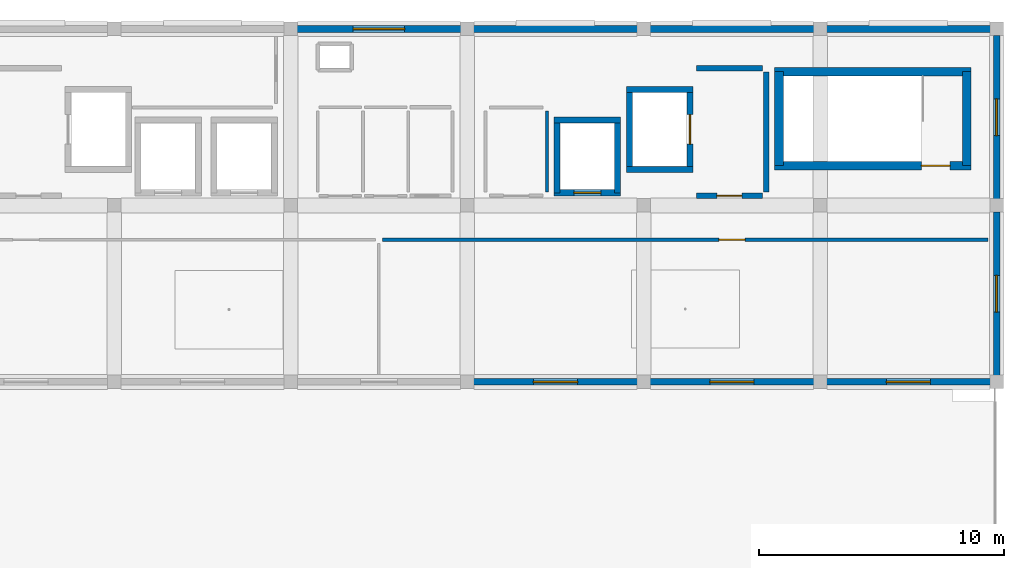
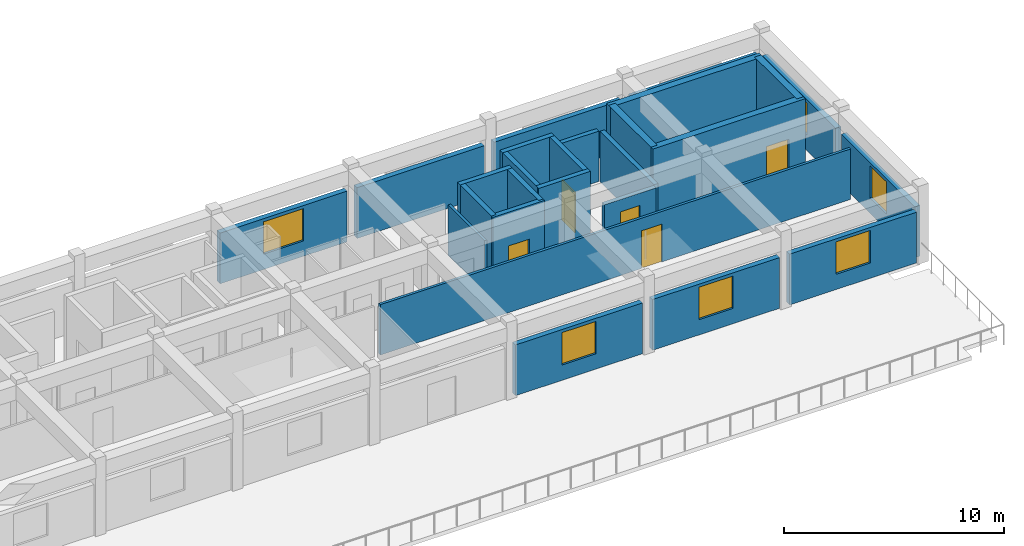
# One storey, part 3 of 6: 26 walls, 6 windows, 5 doors, 11 openings.
"""IFC4 building model written with IfcOpenShell, lengths in metres."""

from ifc_helpers import new_model, si_unit, direction, frame, frame_2d, origin, place, context, subcontext, project, spatial, rectangle, extrude, material, layer, layer_set, type_object, element, fill, save


model = new_model("IFC4")

# Units and contexts
model_context = context("Model", 3, precision=1e-05, world=origin(), true_north=direction((0.0, 1.0)))
body_context = subcontext(model_context, "Body", "Model", "MODEL_VIEW")
ifc_project = project(units=[si_unit("LENGTHUNIT", "METRE"), si_unit("AREAUNIT", "SQUARE_METRE"), si_unit("VOLUMEUNIT", "CUBIC_METRE"), si_unit("PLANEANGLEUNIT", "RADIAN"), si_unit("MASSUNIT", "GRAM", prefix="KILO")], contexts=[model_context])

# Site, building, storey
site_placement = place(None, origin())
site = spatial("IfcSite", under=ifc_project, at=site_placement, CompositionType="ELEMENT")
building_placement = place(site_placement, origin())
building = spatial("IfcBuilding", under=site, at=building_placement, Name="Kazehaya Institute of Natural Sciences", CompositionType="ELEMENT")
storey_placement = place(building_placement, frame((0.0, 0.0, 41.93994140625)))
storey = spatial("IfcBuildingStorey", under=building, at=storey_placement, Name="L09", CompositionType="ELEMENT", Elevation=41.93994140625)

# Wall, opening, door
ifc_material_1 = material(Name="Concrete Fc42", Category="concrete")
ifc_layer_1 = layer(ifc_material_1, 0.35009765625, Name="Concrete Fc42", Category="concrete")
ifc_layer_set_1 = layer_set([ifc_layer_1], Name="Concrete Fc42")
wall_type_1 = type_object("IfcWallType", Name="WL-CORE-350", PredefinedType="SHEAR", material=ifc_layer_set_1)
wall_1_placement = place(storey_placement, frame((111.155029296875, 22.820068359375, 0.0), z_axis=(0.0, 0.0, 1.0), x_axis=(-1.0, 0.0, 0.0)))
wall_1 = element("IfcWall", 1, at=wall_1_placement, inside=storey, type_object=wall_type_1, Name="L09 ST-2 core wall S", PredefinedType="SHEAR", context=body_context, shape_type="SweptSolid", body=[
    extrude(rectangle(XDim=8.010009765625, YDim=0.35009765625, at=frame_2d((4.0048828125, 0.0))), origin(), (0.0, 0.0, 1.0), 4.070068359375),
])
opening_1_placement = place(wall_1_placement, frame((0.85009765625, 0.0, 0.0)))
opening_1 = element("IfcOpeningElement", 2, at=opening_1_placement, cuts=wall_1, Name="Opening D-ST-022", PredefinedType="OPENING", context=body_context, shape_type="SweptSolid", body=[
    extrude(rectangle(XDim=1.179931640625, YDim=2.1201171875, at=frame_2d((0.58984375, 1.06005859375))), frame((0.0, 0.18505859375, 0.0), z_axis=(0.0, -1.0, 0.0), x_axis=(1.0, 0.0, 0.0)), (0.0, 0.0, 1.0), 0.3701171875),
])
ifc_material_2 = material(Name="Fire-rated steel acoustic door", Category="steel")
door_type_1 = type_object("IfcDoorType", Name="DT-FD-23", OperationType="NOTDEFINED", PredefinedType="DOOR", material=ifc_material_2)
door_1_placement = place(opening_1_placement, origin())
door_1 = element("IfcDoor", 3, at=door_1_placement, inside=storey, type_object=door_type_1, Name="L09 ST-2 stair enclosure door D-ST-022", OperationType="SINGLE_SWING_RIGHT", OverallHeight=2.1201171875, OverallWidth=1.179931640625, PredefinedType="DOOR", context=body_context, shape_type="SweptSolid", body=[
    extrude(rectangle(XDim=1.179931640625, YDim=2.1201171875, at=frame_2d((0.58984375, 1.06005859375))), frame((0.0, 0.02490234375, 0.0), z_axis=(0.0, -1.0, 0.0), x_axis=(1.0, 0.0, 0.0)), (0.0, 0.0, 1.0), 0.050048828125),
])
fill(opening_1, door_1)

# Walls
wall_2_placement = place(storey_placement, frame((103.14501953125, 26.659912109375, 0.0), z_axis=(0.0, 0.0, 1.0), x_axis=(1.0, 0.0, 0.0)))
element("IfcWall", 4, at=wall_2_placement, inside=storey, type_object=wall_type_1, Name="L09 ST-2 core wall N", PredefinedType="SHEAR", context=body_context, shape_type="SweptSolid", body=[
    extrude(rectangle(XDim=8.010009765625, YDim=0.35009765625, at=frame_2d((4.0048828125, 0.0))), origin(), (0.0, 0.0, 1.0), 4.070068359375),
])
for number, where, z_axis, x_axis, name in (
    (5, (103.320068359375, 22.820068359375, 0.0), (0.0, 0.0, 1.0), (0.0, 1.0, 0.0), "L09 ST-2 core wall W"),
    (6, (110.97998046875, 26.659912109375, 0.0), (0.0, 0.0, 1.0), (0.0, -1.0, 0.0), "L09 ST-2 core wall E"),
):
    element("IfcWall", number, at=place(storey_placement, frame(where, z_axis=z_axis, x_axis=x_axis)), inside=storey, type_object=wall_type_1, Name=name, PredefinedType="SHEAR", context=body_context, shape_type="SweptSolid", body=[
        extrude(rectangle(XDim=3.83984375, YDim=0.35009765625, at=frame_2d((1.919921875, 0.0))), origin(), (0.0, 0.0, 1.0), 4.070068359375),
    ])

# Wall, opening, window
ifc_material_3 = material(Name="Precast concrete Fc36", Category="concrete")
ifc_layer_2 = layer(ifc_material_3, 0.27001953125, Name="Precast concrete Fc36", Category="concrete")
ifc_layer_set_2 = layer_set([ifc_layer_2], Name="Precast concrete Fc36")
wall_type_2 = type_object("IfcWallType", Name="WL-EXT-270", PredefinedType="SOLIDWALL", material=ifc_layer_set_2)
wall_3_placement = place(storey_placement, frame((111.93994140625, 14.0, 0.0), z_axis=(0.0, 0.0, 1.0), x_axis=(-1.0, 0.0, 0.0)))
wall_3 = element("IfcWall", 7, at=wall_3_placement, inside=storey, type_object=wall_type_2, Name="L09 exterior wall EW-L09-0404", PredefinedType="SOLIDWALL", context=body_context, shape_type="SweptSolid", body=[
    extrude(rectangle(XDim=6.679931640625, YDim=0.27001953125, at=frame_2d((3.33984375, 0.0))), origin(), (0.0, 0.0, 1.0), 2.820068359375),
])
opening_2_placement = place(wall_3_placement, frame((2.43994140625, 0.0, 0.85009765625)))
opening_2 = element("IfcOpeningElement", 8, at=opening_2_placement, cuts=wall_3, Name="Opening W11", PredefinedType="OPENING", context=body_context, shape_type="SweptSolid", body=[
    extrude(rectangle(XDim=1.800048828125, YDim=1.800048828125, at=frame_2d((0.89990234375, 0.89990234375))), frame((0.0, 0.14501953125, 0.0), z_axis=(0.0, -1.0, 0.0), x_axis=(1.0, 0.0, 0.0)), (0.0, 0.0, 1.0), 0.2900390625),
])
ifc_material_4 = material(Name="Low-E double-glazed aluminium window", Category="aluminium")
window_type_1 = type_object("IfcWindowType", Name="WN-11", PartitioningType="DOUBLE_PANEL_VERTICAL", PredefinedType="WINDOW", material=ifc_material_4)
window_1_placement = place(opening_2_placement, origin())
window_1 = element("IfcWindow", 9, at=window_1_placement, inside=storey, type_object=window_type_1, Name="L09 facade window 0256", OverallHeight=1.800048828125, OverallWidth=1.800048828125, PartitioningType="DOUBLE_PANEL_VERTICAL", PredefinedType="WINDOW", context=body_context, shape_type="SweptSolid", body=[
    extrude(rectangle(XDim=1.800048828125, YDim=1.800048828125, at=frame_2d((0.89990234375, 0.89990234375))), frame((0.0, 0.030029296875, 0.0), z_axis=(0.0, -1.0, 0.0), x_axis=(1.0, 0.0, 0.0)), (0.0, 0.0, 1.0), 0.06005859375),
])
fill(opening_2, window_1)

wall_4_placement = place(storey_placement, frame((104.739990234375, 14.0, 0.0), z_axis=(0.0, 0.0, 1.0), x_axis=(-1.0, 0.0, 0.0)))
wall_4 = element("IfcWall", 10, at=wall_4_placement, inside=storey, type_object=wall_type_2, Name="L09 exterior wall EW-L09-0405", PredefinedType="SOLIDWALL", context=body_context, shape_type="SweptSolid", body=[
    extrude(rectangle(XDim=6.679931640625, YDim=0.27001953125, at=frame_2d((3.33984375, 0.0))), origin(), (0.0, 0.0, 1.0), 2.820068359375),
])
opening_3_placement = place(wall_4_placement, frame((2.43994140625, 0.0, 0.85009765625)))
opening_3 = element("IfcOpeningElement", 11, at=opening_3_placement, cuts=wall_4, Name="Opening W11", PredefinedType="OPENING", context=body_context, shape_type="SweptSolid", body=[
    extrude(rectangle(XDim=1.800048828125, YDim=1.800048828125, at=frame_2d((0.89990234375, 0.89990234375))), frame((0.0, 0.14501953125, 0.0), z_axis=(0.0, -1.0, 0.0), x_axis=(1.0, 0.0, 0.0)), (0.0, 0.0, 1.0), 0.2900390625),
])
window_2_placement = place(opening_3_placement, origin())
window_2 = element("IfcWindow", 12, at=window_2_placement, inside=storey, type_object=window_type_1, Name="L09 facade window 0257", OverallHeight=1.800048828125, OverallWidth=1.800048828125, PartitioningType="DOUBLE_PANEL_VERTICAL", PredefinedType="WINDOW", context=body_context, shape_type="SweptSolid", body=[
    extrude(rectangle(XDim=1.800048828125, YDim=1.800048828125, at=frame_2d((0.89990234375, 0.89990234375))), frame((0.0, 0.030029296875, 0.0), z_axis=(0.0, -1.0, 0.0), x_axis=(1.0, 0.0, 0.0)), (0.0, 0.0, 1.0), 0.06005859375),
])
fill(opening_3, window_2)

wall_5_placement = place(storey_placement, frame((97.5400390625, 14.0, 0.0), z_axis=(0.0, 0.0, 1.0), x_axis=(-1.0, 0.0, 0.0)))
wall_5 = element("IfcWall", 13, at=wall_5_placement, inside=storey, type_object=wall_type_2, Name="L09 exterior wall EW-L09-0406", PredefinedType="SOLIDWALL", context=body_context, shape_type="SweptSolid", body=[
    extrude(rectangle(XDim=6.679931640625, YDim=0.27001953125, at=frame_2d((3.33984375, 0.0))), origin(), (0.0, 0.0, 1.0), 2.820068359375),
])
opening_4_placement = place(wall_5_placement, frame((2.43994140625, 0.0, 0.85009765625)))
opening_4 = element("IfcOpeningElement", 14, at=opening_4_placement, cuts=wall_5, Name="Opening W11", PredefinedType="OPENING", context=body_context, shape_type="SweptSolid", body=[
    extrude(rectangle(XDim=1.800048828125, YDim=1.800048828125, at=frame_2d((0.89990234375, 0.89990234375))), frame((0.0, 0.14501953125, 0.0), z_axis=(0.0, -1.0, 0.0), x_axis=(1.0, 0.0, 0.0)), (0.0, 0.0, 1.0), 0.2900390625),
])
window_3_placement = place(opening_4_placement, origin())
window_3 = element("IfcWindow", 15, at=window_3_placement, inside=storey, type_object=window_type_1, Name="L09 facade window 0258", OverallHeight=1.800048828125, OverallWidth=1.800048828125, PartitioningType="DOUBLE_PANEL_VERTICAL", PredefinedType="WINDOW", context=body_context, shape_type="SweptSolid", body=[
    extrude(rectangle(XDim=1.800048828125, YDim=1.800048828125, at=frame_2d((0.89990234375, 0.89990234375))), frame((0.0, 0.030029296875, 0.0), z_axis=(0.0, -1.0, 0.0), x_axis=(1.0, 0.0, 0.0)), (0.0, 0.0, 1.0), 0.06005859375),
])
fill(opening_4, window_3)

wall_6_placement = place(storey_placement, frame((83.659912109375, 28.39990234375, 0.0), z_axis=(0.0, 0.0, 1.0), x_axis=(1.0, 0.0, 0.0)))
wall_6 = element("IfcWall", 16, at=wall_6_placement, inside=storey, type_object=wall_type_2, Name="L09 exterior wall EW-L09-0414", PredefinedType="SOLIDWALL", context=body_context, shape_type="SweptSolid", body=[
    extrude(rectangle(XDim=6.68017578125, YDim=0.27001953125, at=frame_2d((3.340087890625, 0.0))), origin(), (0.0, 0.0, 1.0), 2.820068359375),
])
opening_5_placement = place(wall_6_placement, frame((2.2900390625, 0.0, 0.85009765625)))
opening_5 = element("IfcOpeningElement", 17, at=opening_5_placement, cuts=wall_6, Name="Opening W12", PredefinedType="OPENING", context=body_context, shape_type="SweptSolid", body=[
    extrude(rectangle(XDim=2.10009765625, YDim=1.800048828125, at=frame_2d((1.050048828125, 0.89990234375))), frame((0.0, 0.14501953125, 0.0), z_axis=(0.0, -1.0, 0.0), x_axis=(1.0, 0.0, 0.0)), (0.0, 0.0, 1.0), 0.2900390625),
])
window_type_2 = type_object("IfcWindowType", Name="WN-12", PartitioningType="DOUBLE_PANEL_VERTICAL", PredefinedType="WINDOW", material=ifc_material_4)
window_4_placement = place(opening_5_placement, origin())
window_4 = element("IfcWindow", 18, at=window_4_placement, inside=storey, type_object=window_type_2, Name="L09 facade window 0262", OverallHeight=1.800048828125, OverallWidth=2.10009765625, PartitioningType="DOUBLE_PANEL_VERTICAL", PredefinedType="WINDOW", context=body_context, shape_type="SweptSolid", body=[
    extrude(rectangle(XDim=2.10009765625, YDim=1.800048828125, at=frame_2d((1.050048828125, 0.89990234375))), frame((0.0, 0.030029296875, 0.0), z_axis=(0.0, -1.0, 0.0), x_axis=(1.0, 0.0, 0.0)), (0.0, 0.0, 1.0), 0.06005859375),
])
fill(opening_5, window_4)

# Walls
for number, where, z_axis, x_axis, name in (
    (19, (90.860107421875, 28.39990234375, 0.0), (0.0, 0.0, 1.0), (1.0, 0.0, 0.0), "L09 exterior wall EW-L09-0415"),
    (20, (98.06005859375, 28.39990234375, 0.0), (0.0, 0.0, 1.0), (1.0, 0.0, 0.0), "L09 exterior wall EW-L09-0416"),
    (21, (105.260009765625, 28.39990234375, 0.0), (0.0, 0.0, 1.0), (1.0, 0.0, 0.0), "L09 exterior wall EW-L09-0417"),
):
    element("IfcWall", number, at=place(storey_placement, frame(where, z_axis=z_axis, x_axis=x_axis)), inside=storey, type_object=wall_type_2, Name=name, PredefinedType="SOLIDWALL", context=body_context, shape_type="SweptSolid", body=[
        extrude(rectangle(XDim=6.679931640625, YDim=0.27001953125, at=frame_2d((3.33984375, 0.0))), origin(), (0.0, 0.0, 1.0), 2.820068359375),
    ])

# Wall, opening, window
wall_7_placement = place(storey_placement, frame((112.199951171875, 20.93994140625, 0.0), z_axis=(0.0, 0.0, 1.0), x_axis=(0.0, -1.0, 0.0)))
wall_7 = element("IfcWall", 22, at=wall_7_placement, inside=storey, type_object=wall_type_2, Name="L09 exterior wall EW-L09-0419", PredefinedType="SOLIDWALL", context=body_context, shape_type="SweptSolid", body=[
    extrude(rectangle(XDim=6.679931640625, YDim=0.27001953125, at=frame_2d((3.33984375, 0.0))), origin(), (0.0, 0.0, 1.0), 2.820068359375),
])
opening_6_placement = place(wall_7_placement, frame((2.590087890625, 0.0, 0.85009765625)))
opening_6 = element("IfcOpeningElement", 23, at=opening_6_placement, cuts=wall_7, Name="Opening W14", PredefinedType="OPENING", context=body_context, shape_type="SweptSolid", body=[
    extrude(rectangle(XDim=1.5, YDim=1.800048828125, at=frame_2d((0.75, 0.89990234375))), frame((0.0, 0.14501953125, 0.0), z_axis=(0.0, -1.0, 0.0), x_axis=(1.0, 0.0, 0.0)), (0.0, 0.0, 1.0), 0.2900390625),
])
window_type_3 = type_object("IfcWindowType", Name="WN-14", PartitioningType="SINGLE_PANEL", PredefinedType="WINDOW", material=ifc_material_4)
window_5_placement = place(opening_6_placement, origin())
window_5 = element("IfcWindow", 24, at=window_5_placement, inside=storey, type_object=window_type_3, Name="L09 facade window 0264", OverallHeight=1.800048828125, OverallWidth=1.5, PartitioningType="SINGLE_PANEL", PredefinedType="WINDOW", context=body_context, shape_type="SweptSolid", body=[
    extrude(rectangle(XDim=1.5, YDim=1.800048828125, at=frame_2d((0.75, 0.89990234375))), frame((0.0, 0.030029296875, 0.0), z_axis=(0.0, -1.0, 0.0), x_axis=(1.0, 0.0, 0.0)), (0.0, 0.0, 1.0), 0.06005859375),
])
fill(opening_6, window_5)

wall_8_placement = place(storey_placement, frame((112.199951171875, 28.139892578125, 0.0), z_axis=(0.0, 0.0, 1.0), x_axis=(0.0, -1.0, 0.0)))
wall_8 = element("IfcWall", 25, at=wall_8_placement, inside=storey, type_object=wall_type_2, Name="L09 exterior wall EW-L09-0421", PredefinedType="SOLIDWALL", context=body_context, shape_type="SweptSolid", body=[
    extrude(rectangle(XDim=6.679931640625, YDim=0.27001953125, at=frame_2d((3.33984375, 0.0))), origin(), (0.0, 0.0, 1.0), 2.820068359375),
])
opening_7_placement = place(wall_8_placement, frame((2.590087890625, 0.0, 0.85009765625)))
opening_7 = element("IfcOpeningElement", 26, at=opening_7_placement, cuts=wall_8, Name="Opening W14", PredefinedType="OPENING", context=body_context, shape_type="SweptSolid", body=[
    extrude(rectangle(XDim=1.5, YDim=1.800048828125, at=frame_2d((0.75, 0.89990234375))), frame((0.0, 0.14501953125, 0.0), z_axis=(0.0, -1.0, 0.0), x_axis=(1.0, 0.0, 0.0)), (0.0, 0.0, 1.0), 0.2900390625),
])
window_6_placement = place(opening_7_placement, origin())
window_6 = element("IfcWindow", 27, at=window_6_placement, inside=storey, type_object=window_type_3, Name="L09 facade window 0266", OverallHeight=1.800048828125, OverallWidth=1.5, PartitioningType="SINGLE_PANEL", PredefinedType="WINDOW", context=body_context, shape_type="SweptSolid", body=[
    extrude(rectangle(XDim=1.5, YDim=1.800048828125, at=frame_2d((0.75, 0.89990234375))), frame((0.0, 0.030029296875, 0.0), z_axis=(0.0, -1.0, 0.0), x_axis=(1.0, 0.0, 0.0)), (0.0, 0.0, 1.0), 0.06005859375),
])
fill(opening_7, window_6)

# Wall, opening, door
ifc_material_5 = material(Name="Concrete Fc36", Category="concrete")
ifc_layer_3 = layer(ifc_material_5, 0.22998046875, Name="Concrete Fc36", Category="concrete")
ifc_layer_set_3 = layer_set([ifc_layer_3], Name="Concrete Fc36")
wall_type_3 = type_object("IfcWallType", Name="WL-FFL-230", PredefinedType="PARTITIONING", material=ifc_layer_set_3)
wall_9_placement = place(storey_placement, frame((102.64990234375, 21.60009765625, 0.0), z_axis=(0.0, 0.0, 1.0), x_axis=(-1.0, 0.0, 0.0)))
wall_9 = element("IfcWall", 28, at=wall_9_placement, inside=storey, type_object=wall_type_3, Name="L09 East Firefighting Lift Lobby partition IW-L09-0383", PredefinedType="PARTITIONING", context=body_context, shape_type="SweptSolid", body=[
    extrude(rectangle(XDim=2.699951171875, YDim=0.22998046875, at=frame_2d((1.35009765625, 0.0))), origin(), (0.0, 0.0, 1.0), 2.800048828125),
])
opening_8_placement = place(wall_9_placement, frame((0.840087890625, 0.0, 0.0)))
opening_8 = element("IfcOpeningElement", 29, at=opening_8_placement, cuts=wall_9, Name="Opening D-L09-0206", PredefinedType="OPENING", context=body_context, shape_type="SweptSolid", body=[
    extrude(rectangle(XDim=1.02001953125, YDim=2.1201171875, at=frame_2d((0.510009765625, 1.06005859375))), frame((0.0, 0.125, 0.0), z_axis=(0.0, -1.0, 0.0), x_axis=(1.0, 0.0, 0.0)), (0.0, 0.0, 1.0), 0.25),
])
door_type_2 = type_object("IfcDoorType", Name="DT-FD-11", OperationType="NOTDEFINED", PredefinedType="DOOR", material=ifc_material_2)
door_2_placement = place(opening_8_placement, origin())
door_2 = element("IfcDoor", 30, at=door_2_placement, inside=storey, type_object=door_type_2, Name="L09 East Firefighting Lift Lobby door D-L09-0206", OperationType="SINGLE_SWING_LEFT", OverallHeight=2.1201171875, OverallWidth=1.02001953125, PredefinedType="DOOR", context=body_context, shape_type="SweptSolid", body=[
    extrude(rectangle(XDim=1.02001953125, YDim=2.1201171875, at=frame_2d((0.510009765625, 1.06005859375))), frame((0.0, 0.02490234375, 0.0), z_axis=(0.0, -1.0, 0.0), x_axis=(1.0, 0.0, 0.0)), (0.0, 0.0, 1.0), 0.050048828125),
])
fill(opening_8, door_2)

# Walls
wall_10_placement = place(storey_placement, frame((99.949951171875, 26.800048828125, 0.0), z_axis=(0.0, 0.0, 1.0), x_axis=(1.0, 0.0, 0.0)))
element("IfcWall", 31, at=wall_10_placement, inside=storey, type_object=wall_type_3, Name="L09 East Firefighting Lift Lobby partition IW-L09-0384", PredefinedType="PARTITIONING", context=body_context, shape_type="SweptSolid", body=[
    extrude(rectangle(XDim=2.699951171875, YDim=0.22998046875, at=frame_2d((1.35009765625, 0.0))), origin(), (0.0, 0.0, 1.0), 2.800048828125),
])
wall_11_placement = place(storey_placement, frame((102.800048828125, 26.64990234375, 0.0), z_axis=(0.0, 0.0, 1.0), x_axis=(0.0, -1.0, 0.0)))
element("IfcWall", 32, at=wall_11_placement, inside=storey, type_object=wall_type_3, Name="L09 East Firefighting Lift Lobby partition IW-L09-0385", PredefinedType="PARTITIONING", context=body_context, shape_type="SweptSolid", body=[
    extrude(rectangle(XDim=4.89990234375, YDim=0.22998046875, at=frame_2d((2.449951171875, 0.0))), origin(), (0.0, 0.0, 1.0), 2.800048828125),
])
ifc_material_6 = material(Name="Moisture-resistant WC partition")
ifc_layer_4 = layer(ifc_material_6, 0.1298828125, Name="Moisture-resistant WC partition")
ifc_layer_set_4 = layer_set([ifc_layer_4], Name="Moisture-resistant WC partition")
wall_type_4 = type_object("IfcWallType", Name="WL-PART-130", PredefinedType="PARTITIONING", material=ifc_layer_set_4)
wall_12_placement = place(storey_placement, frame((93.85009765625, 25.050048828125, 0.0), z_axis=(0.0, 0.0, 1.0), x_axis=(0.0, -1.0, 0.0)))
element("IfcWall", 33, at=wall_12_placement, inside=storey, type_object=wall_type_4, Name="L09 Ostomate WC partition IW-L09-0399", PredefinedType="PARTITIONING", context=body_context, shape_type="SweptSolid", body=[
    extrude(rectangle(XDim=3.300048828125, YDim=0.1298828125, at=frame_2d((1.64990234375, 0.0))), origin(), (0.0, 0.0, 1.0), 2.800048828125),
])

# Wall, opening, door
ifc_material_7 = material(Name="Gypsum partition", Category="gypsum")
ifc_layer_5 = layer(ifc_material_7, 0.139892578125, Name="Gypsum partition", Category="gypsum")
ifc_layer_set_5 = layer_set([ifc_layer_5], Name="Gypsum partition")
wall_type_5 = type_object("IfcWallType", Name="WL-PART-140", PredefinedType="PARTITIONING", material=ifc_layer_set_5)
wall_13_placement = place(storey_placement, frame((87.14990234375, 19.800048828125, 0.0), z_axis=(0.0, 0.0, 1.0), x_axis=(1.0, 0.0, 0.0)))
wall_13 = element("IfcWall", 34, at=wall_13_placement, inside=storey, type_object=wall_type_5, Name="L09 Senior Fellow Write-up Office partition IW-L09-0402", PredefinedType="PARTITIONING", context=body_context, shape_type="SweptSolid", body=[
    extrude(rectangle(XDim=24.7001953125, YDim=0.139892578125, at=frame_2d((12.35009765625, 0.0))), origin(), (0.0, 0.0, 1.0), 2.800048828125),
])
opening_9_placement = place(wall_13_placement, frame((13.715087890625, 0.0, 0.0)))
opening_9 = element("IfcOpeningElement", 35, at=opening_9_placement, cuts=wall_13, Name="Opening D-L09-0212", PredefinedType="OPENING", context=body_context, shape_type="SweptSolid", body=[
    extrude(rectangle(XDim=1.070068359375, YDim=2.10009765625, at=frame_2d((0.53515625, 1.050048828125))), frame((0.0, 0.079833984375, 0.0), z_axis=(0.0, -1.0, 0.0), x_axis=(1.0, 0.0, 0.0)), (0.0, 0.0, 1.0), 0.159912109375),
])
ifc_material_8 = material(Name="Flush timber and aluminium laboratory door", Category="wood")
door_type_3 = type_object("IfcDoorType", Name="DT-INT-22", OperationType="NOTDEFINED", PredefinedType="DOOR", material=ifc_material_8)
door_3_placement = place(opening_9_placement, origin())
door_3 = element("IfcDoor", 36, at=door_3_placement, inside=storey, type_object=door_type_3, Name="L09 Senior Fellow Write-up Office door D-L09-0212", OperationType="SINGLE_SWING_LEFT", OverallHeight=2.10009765625, OverallWidth=1.070068359375, PredefinedType="DOOR", context=body_context, shape_type="SweptSolid", body=[
    extrude(rectangle(XDim=1.070068359375, YDim=2.10009765625, at=frame_2d((0.53515625, 1.050048828125))), frame((0.0, 0.02490234375, 0.0), z_axis=(0.0, -1.0, 0.0), x_axis=(1.0, 0.0, 0.0)), (0.0, 0.0, 1.0), 0.050048828125),
])
fill(opening_9, door_3)

# Walls
ifc_layer_6 = layer(ifc_material_1, 0.25, Name="Concrete Fc42", Category="concrete")
ifc_layer_set_6 = layer_set([ifc_layer_6], Name="Concrete Fc42")
wall_type_6 = type_object("IfcWallType", Name="WL-SHAFT-250", PredefinedType="SHEAR", material=ifc_layer_set_6)
for number, where, z_axis, x_axis, name in (
    (37, (99.81005859375, 22.6650390625, 0.0), (0.0, 0.0, 1.0), (-1.0, 0.0, 0.0), "L09 EL08 lift shaft wall south"),
    (38, (97.090087890625, 25.93505859375, 0.0), (0.0, 0.0, 1.0), (1.0, 0.0, 0.0), "L09 EL08 lift shaft wall north"),
):
    element("IfcWall", number, at=place(storey_placement, frame(where, z_axis=z_axis, x_axis=x_axis)), inside=storey, type_object=wall_type_6, Name=name, PredefinedType="SHEAR", context=body_context, shape_type="SweptSolid", body=[
        extrude(rectangle(XDim=2.719970703125, YDim=0.25, at=frame_2d((1.35986328125, 0.0))), origin(), (0.0, 0.0, 1.0), 4.070068359375),
    ])
wall_14_placement = place(storey_placement, frame((97.215087890625, 22.6650390625, 0.0), z_axis=(0.0, 0.0, 1.0), x_axis=(0.0, 1.0, 0.0)))
element("IfcWall", 39, at=wall_14_placement, inside=storey, type_object=wall_type_6, Name="L09 EL08 lift shaft wall west", PredefinedType="SHEAR", context=body_context, shape_type="SweptSolid", body=[
    extrude(rectangle(XDim=3.27001953125, YDim=0.25, at=frame_2d((1.635009765625, 0.0))), origin(), (0.0, 0.0, 1.0), 4.070068359375),
])

# Wall, opening, door
wall_15_placement = place(storey_placement, frame((99.68505859375, 25.93505859375, 0.0), z_axis=(0.0, 0.0, 1.0), x_axis=(0.0, -1.0, 0.0)))
wall_15 = element("IfcWall", 40, at=wall_15_placement, inside=storey, type_object=wall_type_6, Name="L09 EL08 lift shaft wall east", PredefinedType="SHEAR", context=body_context, shape_type="SweptSolid", body=[
    extrude(rectangle(XDim=3.27001953125, YDim=0.25, at=frame_2d((1.635009765625, 0.0))), origin(), (0.0, 0.0, 1.0), 4.070068359375),
])
opening_10_placement = place(wall_15_placement, frame((1.034912109375, 0.0, 0.0)))
opening_10 = element("IfcOpeningElement", 41, at=opening_10_placement, cuts=wall_15, Name="Opening LD-22", PredefinedType="OPENING", context=body_context, shape_type="SweptSolid", body=[
    extrude(rectangle(XDim=1.199951171875, YDim=2.25, at=frame_2d((0.60009765625, 1.125))), frame((0.0, 0.135009765625, 0.0), z_axis=(0.0, -1.0, 0.0), x_axis=(1.0, 0.0, 0.0)), (0.0, 0.0, 1.0), 0.27001953125),
])
ifc_material_9 = material(Name="Stainless-steel emergency lift landing door", Category="steel")
door_type_4 = type_object("IfcDoorType", Name="DT-LD-1200x2250", OperationType="SLIDING_TO_LEFT", PredefinedType="DOOR", material=ifc_material_9)
door_4_placement = place(opening_10_placement, origin())
door_4 = element("IfcDoor", 42, at=door_4_placement, inside=storey, type_object=door_type_4, Name="L09 EL08 sliding landing door LD-22", OperationType="SLIDING_TO_LEFT", OverallHeight=2.25, OverallWidth=1.199951171875, PredefinedType="DOOR", context=body_context, shape_type="SweptSolid", body=[
    extrude(rectangle(XDim=1.199951171875, YDim=2.25, at=frame_2d((0.60009765625, 1.125))), frame((0.0, 0.02490234375, 0.0), z_axis=(0.0, -1.0, 0.0), x_axis=(1.0, 0.0, 0.0)), (0.0, 0.0, 1.0), 0.050048828125),
])
fill(opening_10, door_4)

wall_16_placement = place(storey_placement, frame((96.860107421875, 21.715087890625, 0.0), z_axis=(0.0, 0.0, 1.0), x_axis=(-1.0, 0.0, 0.0)))
wall_16 = element("IfcWall", 43, at=wall_16_placement, inside=storey, type_object=wall_type_6, Name="L09 EL03 lift shaft wall south", PredefinedType="SHEAR", context=body_context, shape_type="SweptSolid", body=[
    extrude(rectangle(XDim=2.72021484375, YDim=0.25, at=frame_2d((1.360107421875, 0.0))), origin(), (0.0, 0.0, 1.0), 4.070068359375),
])
opening_11_placement = place(wall_16_placement, frame((0.81005859375, 0.0, 0.0)))
opening_11 = element("IfcOpeningElement", 44, at=opening_11_placement, cuts=wall_16, Name="Opening LD-55", PredefinedType="OPENING", context=body_context, shape_type="SweptSolid", body=[
    extrude(rectangle(XDim=1.10009765625, YDim=2.199951171875, at=frame_2d((0.550048828125, 1.10009765625))), frame((0.0, 0.135009765625, 0.0), z_axis=(0.0, -1.0, 0.0), x_axis=(1.0, 0.0, 0.0)), (0.0, 0.0, 1.0), 0.27001953125),
])
ifc_material_10 = material(Name="Stainless-steel sliding landing door", Category="steel")
door_type_5 = type_object("IfcDoorType", Name="DT-LD-1100x2200", OperationType="SLIDING_TO_LEFT", PredefinedType="DOOR", material=ifc_material_10)
door_5_placement = place(opening_11_placement, origin())
door_5 = element("IfcDoor", 45, at=door_5_placement, inside=storey, type_object=door_type_5, Name="L09 EL03 sliding landing door LD-55", OperationType="SLIDING_TO_LEFT", OverallHeight=2.199951171875, OverallWidth=1.10009765625, PredefinedType="DOOR", context=body_context, shape_type="SweptSolid", body=[
    extrude(rectangle(XDim=1.10009765625, YDim=2.199951171875, at=frame_2d((0.550048828125, 1.10009765625))), frame((0.0, 0.02490234375, 0.0), z_axis=(0.0, -1.0, 0.0), x_axis=(1.0, 0.0, 0.0)), (0.0, 0.0, 1.0), 0.050048828125),
])
fill(opening_11, door_5)

# Walls
wall_17_placement = place(storey_placement, frame((94.139892578125, 24.68505859375, 0.0), z_axis=(0.0, 0.0, 1.0), x_axis=(1.0, 0.0, 0.0)))
element("IfcWall", 46, at=wall_17_placement, inside=storey, type_object=wall_type_6, Name="L09 EL03 lift shaft wall north", PredefinedType="SHEAR", context=body_context, shape_type="SweptSolid", body=[
    extrude(rectangle(XDim=2.72021484375, YDim=0.25, at=frame_2d((1.360107421875, 0.0))), origin(), (0.0, 0.0, 1.0), 4.070068359375),
])
for number, where, z_axis, x_axis, name in (
    (47, (94.264892578125, 21.715087890625, 0.0), (0.0, 0.0, 1.0), (0.0, 1.0, 0.0), "L09 EL03 lift shaft wall west"),
    (48, (96.735107421875, 24.68505859375, 0.0), (0.0, 0.0, 1.0), (0.0, -1.0, 0.0), "L09 EL03 lift shaft wall east"),
):
    element("IfcWall", number, at=place(storey_placement, frame(where, z_axis=z_axis, x_axis=x_axis)), inside=storey, type_object=wall_type_6, Name=name, PredefinedType="SHEAR", context=body_context, shape_type="SweptSolid", body=[
        extrude(rectangle(XDim=2.969970703125, YDim=0.25, at=frame_2d((1.48486328125, 0.0))), origin(), (0.0, 0.0, 1.0), 4.070068359375),
    ])

save(model, "model.ifc")
